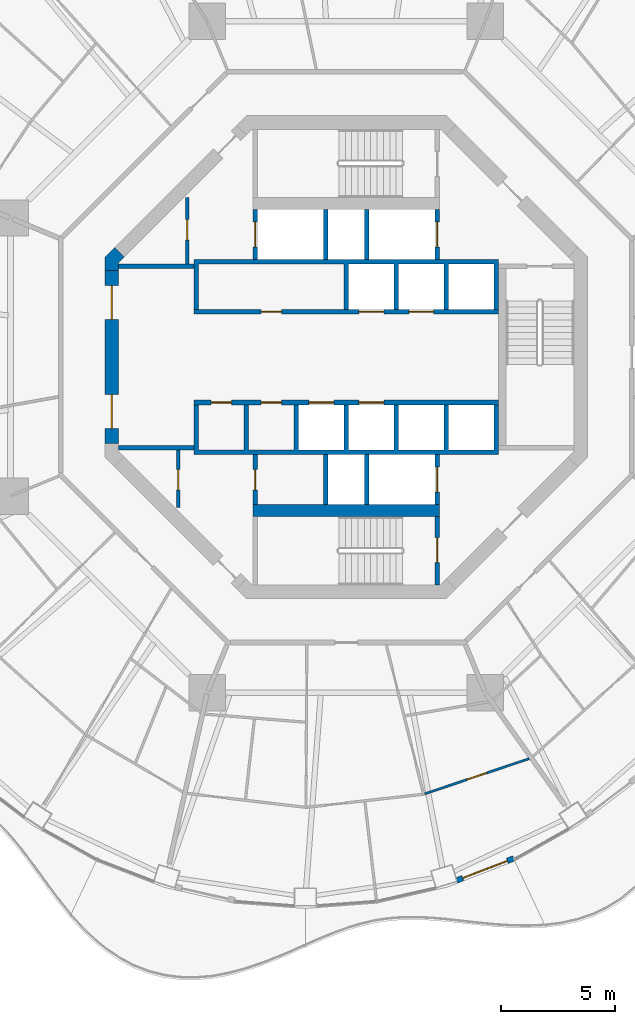
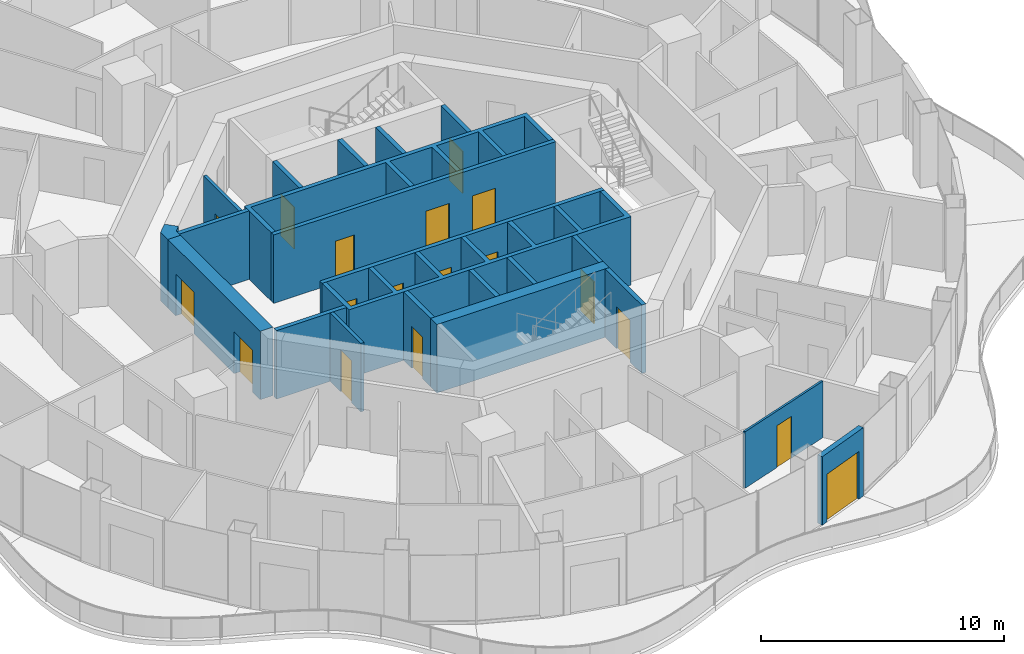
# One storey, part 11 of 18: 22 walls, 18 doors, 18 openings.
"""IFC4 building model written with IfcOpenShell, lengths in metres."""

from ifc_helpers import new_model, si_unit, direction, frame, frame_2d, origin, place, context, subcontext, project, spatial, polyline, rectangle, outline, extrude, material, layer, layer_set, type_object, element, fill, save


model = new_model("IFC4")

# Units and contexts
model_context = context("Model", 3, precision=1e-05, world=origin(), true_north=direction((0.0, 1.0)))
body_context = subcontext(model_context, "Body", "Model", "MODEL_VIEW")
ifc_project = project(units=[si_unit("LENGTHUNIT", "METRE"), si_unit("AREAUNIT", "SQUARE_METRE"), si_unit("VOLUMEUNIT", "CUBIC_METRE"), si_unit("PLANEANGLEUNIT", "RADIAN"), si_unit("MASSUNIT", "GRAM", prefix="KILO")], contexts=[model_context])

# Site, building, storey
site_placement = place(None, origin())
site = spatial("IfcSite", under=ifc_project, at=site_placement, CompositionType="ELEMENT")
building_placement = place(site_placement, origin())
building = spatial("IfcBuilding", under=site, at=building_placement, Name="Nagisa Residences", CompositionType="ELEMENT")
storey_placement = place(building_placement, frame((0.0, 0.0, 230.699951171875)))
storey = spatial("IfcBuildingStorey", under=building, at=storey_placement, Name="L58", CompositionType="ELEMENT", Elevation=230.699951171875)

# Wall, opening, door
ifc_material_1 = material(Name="Gypsum board on steel studs", Category="steel")
ifc_layer_1 = layer(ifc_material_1, 0.10009765625)
ifc_layer_set_1 = layer_set([ifc_layer_1], Name="Apartment partition 100")
wall_type_1 = type_object("IfcWallType", Name="Apartment partition 100", PredefinedType="PARTITIONING", material=ifc_layer_set_1)
wall_1_placement = place(storey_placement, frame((3.453125, -19.228759765625, 0.0), z_axis=(0.0, 0.0, 1.0), x_axis=(0.947565610716, 0.31956128268, 0.0)))
wall_1 = element("IfcWall", 1, at=wall_1_placement, inside=storey, type_object=wall_type_1, Name="wall:L58:u83", PredefinedType="PARTITIONING", context=body_context, shape_type="SweptSolid", body=[
    extrude(rectangle(XDim=4.852783203125, YDim=0.10009765625, at=frame_2d((2.42626953125, 0.0))), origin(), (0.0, 0.0, 1.0), 2.837158203125),
])
opening_1_placement = place(wall_1_placement, frame((1.976318359375, 0.0, 0.0)))
opening_1 = element("IfcOpeningElement", 2, at=opening_1_placement, cuts=wall_1, Name="Opening L58-U20", PredefinedType="OPENING", context=body_context, shape_type="SweptSolid", body=[
    extrude(rectangle(XDim=0.89990234375, YDim=2.10009765625, at=frame_2d((0.449951171875, 1.050048828125))), frame((0.0, 0.06005859375, 0.0), z_axis=(0.0, -1.0, 0.0), x_axis=(1.0, 0.0, 0.0)), (0.0, 0.0, 1.0), 0.1201171875),
])
ifc_material_2 = material(Name="Timber door set", Category="wood")
door_type_1 = type_object("IfcDoorType", Name="Apartment door 900x2100", OperationType="NOTDEFINED", PredefinedType="DOOR", material=ifc_material_2)
door_1_placement = place(opening_1_placement, frame((0.89990234375, 0.0, 0.0), x_axis=(-1.0, 0.0, 0.0)))
door_1 = element("IfcDoor", 3, at=door_1_placement, inside=storey, type_object=door_type_1, Name="Door to dining room, Apartment 58B", OperationType="SINGLE_SWING_LEFT", OverallHeight=2.10009765625, OverallWidth=0.89990234375, PredefinedType="DOOR", context=body_context, shape_type="SweptSolid", body=[
    extrude(rectangle(XDim=0.89990234375, YDim=2.10009765625, at=frame_2d((0.449951171875, 1.050048828125))), frame((0.0, 0.02490234375, 0.0), z_axis=(0.0, -1.0, 0.0), x_axis=(1.0, 0.0, 0.0)), (0.0, 0.0, 1.0), 0.050048828125),
])
fill(opening_1, door_1)

ifc_material_3 = material(Name="Precast concrete C40/50", Category="concrete")
ifc_layer_2 = layer(ifc_material_3, 0.25)
ifc_layer_set_2 = layer_set([ifc_layer_2], Name="BALCONY DOOR WALL 250")
wall_type_2 = type_object("IfcWallType", Name="BALCONY DOOR WALL 250", PredefinedType="SOLIDWALL", material=ifc_layer_set_2)
wall_2_placement = place(storey_placement, frame((7.3662109375, -22.07080078125, 0.0), z_axis=(0.0, 0.0, 1.0), x_axis=(-0.932838255163, -0.360295420044, 0.0)))
wall_2 = element("IfcWall", 4, at=wall_2_placement, inside=storey, type_object=wall_type_2, Name="wall:L58:bay38", PredefinedType="SOLIDWALL", context=body_context, shape_type="SweptSolid", body=[
    extrude(rectangle(XDim=2.6962890625, YDim=0.25, at=frame_2d((1.34814453125, 0.0))), origin(), (0.0, 0.0, 1.0), 3.43994140625),
])
opening_2_placement = place(wall_2_placement, frame((0.298095703125, 0.0, 0.0)))
opening_2 = element("IfcOpeningElement", 5, at=opening_2_placement, cuts=wall_2, Name="Opening BD-L58-13", PredefinedType="OPENING", context=body_context, shape_type="SweptSolid", body=[
    extrude(rectangle(XDim=2.10009765625, YDim=2.39990234375, at=frame_2d((1.050048828125, 1.199951171875))), frame((0.0, 0.135009765625, 0.0), z_axis=(0.0, -1.0, 0.0), x_axis=(1.0, 0.0, 0.0)), (0.0, 0.0, 1.0), 0.27001953125),
])
ifc_material_4 = material(Name="Aluminium and clear glass", Category="aluminium")
door_type_2 = type_object("IfcDoorType", Name="BALCONY SLIDING DOOR 2100x2400", OperationType="SLIDING_TO_LEFT", PredefinedType="DOOR", material=ifc_material_4)
door_2_placement = place(opening_2_placement, origin())
door_2 = element("IfcDoor", 6, at=door_2_placement, inside=storey, type_object=door_type_2, Name="door:L58:bay38", OperationType="SLIDING_TO_LEFT", OverallHeight=2.39990234375, OverallWidth=2.10009765625, PredefinedType="DOOR", context=body_context, shape_type="SweptSolid", body=[
    extrude(rectangle(XDim=2.10009765625, YDim=2.39990234375, at=frame_2d((1.050048828125, 1.199951171875))), frame((0.0, 0.02490234375, 0.0), z_axis=(0.0, -1.0, 0.0), x_axis=(1.0, 0.0, 0.0)), (0.0, 0.0, 1.0), 0.050048828125),
])
fill(opening_2, door_2)

ifc_material_5 = material(Name="Gypsum board on steel studs", Category="steel")
ifc_layer_3 = layer(ifc_material_5, 0.14990234375)
ifc_layer_set_3 = layer_set([ifc_layer_3], Name="Core partition 150")
wall_type_3 = type_object("IfcWallType", Name="Core partition 150", PredefinedType="PARTITIONING", material=ifc_layer_set_3)
wall_3_placement = place(storey_placement, frame((-7.0, 4.10009765625, 0.0), z_axis=(0.0, 0.0, 1.0), x_axis=(0.0, 1.0, 0.0)))
wall_3 = element("IfcWall", 7, at=wall_3_placement, inside=storey, type_object=wall_type_3, Name="wall:L58:NWp", PredefinedType="PARTITIONING", context=body_context, shape_type="SweptSolid", body=[
    extrude(rectangle(XDim=2.9267578125, YDim=0.14990234375, at=frame_2d((1.46337890625, 0.0))), origin(), (0.0, 0.0, 1.0), 3.43994140625),
])
opening_3_placement = place(wall_3_placement, frame((1.051025390625, 0.0, 0.0)))
opening_3 = element("IfcOpeningElement", 8, at=opening_3_placement, cuts=wall_3, Name="Opening L58-C11", PredefinedType="OPENING", context=body_context, shape_type="SweptSolid", body=[
    extrude(rectangle(XDim=0.89990234375, YDim=2.10009765625, at=frame_2d((0.449951171875, 1.050048828125))), frame((0.0, 0.0849609375, 0.0), z_axis=(0.0, -1.0, 0.0), x_axis=(1.0, 0.0, 0.0)), (0.0, 0.0, 1.0), 0.169921875),
])
ifc_material_6 = material(Name="Steel fire door", Category="steel")
door_type_3 = type_object("IfcDoorType", Name="Fire door EI30 900x2100 single swing", OperationType="NOTDEFINED", PredefinedType="DOOR", material=ifc_material_6)
door_3_placement = place(opening_3_placement, origin())
door_3 = element("IfcDoor", 9, at=door_3_placement, inside=storey, type_object=door_type_3, Name="Staff WC door L58", OperationType="SINGLE_SWING_RIGHT", OverallHeight=2.10009765625, OverallWidth=0.89990234375, PredefinedType="DOOR", context=body_context, shape_type="SweptSolid", body=[
    extrude(rectangle(XDim=0.89990234375, YDim=2.10009765625, at=frame_2d((0.449951171875, 1.050048828125))), frame((0.0, 0.02490234375, 0.0), z_axis=(0.0, -1.0, 0.0), x_axis=(1.0, 0.0, 0.0)), (0.0, 0.0, 1.0), 0.050048828125),
])
fill(opening_3, door_3)

wall_4_placement = place(storey_placement, frame((-7.39990234375, -6.626953125, 0.0), z_axis=(0.0, 0.0, 1.0), x_axis=(0.0, 1.0, 0.0)))
wall_4 = element("IfcWall", 10, at=wall_4_placement, inside=storey, type_object=wall_type_3, Name="wall:L58:SWp", PredefinedType="PARTITIONING", context=body_context, shape_type="SweptSolid", body=[
    extrude(rectangle(XDim=2.52685546875, YDim=0.14990234375, at=frame_2d((1.263427734375, 0.0))), origin(), (0.0, 0.0, 1.0), 3.43994140625),
])
opening_4_placement = place(wall_4_placement, frame((0.77587890625, 0.0, 0.0)))
opening_4 = element("IfcOpeningElement", 11, at=opening_4_placement, cuts=wall_4, Name="Opening L58-C12", PredefinedType="OPENING", context=body_context, shape_type="SweptSolid", body=[
    extrude(rectangle(XDim=0.89990234375, YDim=2.10009765625, at=frame_2d((0.449951171875, 1.050048828125))), frame((0.0, 0.0849609375, 0.0), z_axis=(0.0, -1.0, 0.0), x_axis=(1.0, 0.0, 0.0)), (0.0, 0.0, 1.0), 0.169921875),
])
door_4_placement = place(opening_4_placement, origin())
door_4 = element("IfcDoor", 12, at=door_4_placement, inside=storey, type_object=door_type_3, Name="Telecom room door L58", OperationType="SINGLE_SWING_RIGHT", OverallHeight=2.10009765625, OverallWidth=0.89990234375, PredefinedType="DOOR", context=body_context, shape_type="SweptSolid", body=[
    extrude(rectangle(XDim=0.89990234375, YDim=2.10009765625, at=frame_2d((0.449951171875, 1.050048828125))), frame((0.0, 0.02490234375, 0.0), z_axis=(0.0, -1.0, 0.0), x_axis=(1.0, 0.0, 0.0)), (0.0, 0.0, 1.0), 0.050048828125),
])
fill(opening_4, door_4)

# Walls
ifc_material_7 = material(Name="Gypsum board on steel studs", Category="steel")
ifc_layer_4 = layer(ifc_material_7, 0.199951171875)
ifc_layer_set_4 = layer_set([ifc_layer_4], Name="Core partition 200")
wall_type_4 = type_object("IfcWallType", Name="Core partition 200", PredefinedType="PARTITIONING", material=ifc_layer_set_4)
for number, where, z_axis, x_axis, name in (
    (13, (-10.024658203125, -4.0, 0.0), (0.0, 0.0, 1.0), (1.0, 0.0, 0.0), "wall:L58:PSW"),
    (14, (-10.024658203125, 4.0, 0.0), (0.0, 0.0, 1.0), (1.0, 0.0, 0.0), "wall:L58:PNW"),
):
    element("IfcWall", number, at=place(storey_placement, frame(where, z_axis=z_axis, x_axis=x_axis)), inside=storey, type_object=wall_type_4, Name=name, PredefinedType="PARTITIONING", context=body_context, shape_type="SweptSolid", body=[
        extrude(rectangle(XDim=3.32470703125, YDim=0.199951171875, at=frame_2d((1.662353515625, 0.0))), origin(), (0.0, 0.0, 1.0), 3.43994140625),
    ])

# Wall, openings, doors
ifc_material_8 = material(Name="Concrete C60", Category="concrete")
ifc_layer_5 = layer(ifc_material_8, 0.60009765625)
ifc_layer_set_5 = layer_set([ifc_layer_5], Name="Core shear wall 600")
wall_type_5 = type_object("IfcWallType", Name="Core shear wall 600", PredefinedType="SHEAR", material=ifc_layer_set_5)
wall_5_placement = place(storey_placement, frame((-10.32470703125, 3.80078125, 0.0), z_axis=(0.0, 0.0, 1.0), x_axis=(0.0, -1.0, 0.0)))
wall_5 = element("IfcWall", 15, at=wall_5_placement, inside=storey, type_object=wall_type_5, Name="wall:L58:core:flat4", PredefinedType="SHEAR", context=body_context, shape_type="SweptSolid", body=[
    extrude(rectangle(XDim=7.6015625, YDim=0.60009765625, at=frame_2d((3.80078125, 0.0))), origin(), (0.0, 0.0, 1.0), 3.43994140625),
])
opening_5_placement = place(wall_5_placement, frame((0.65087890625, 0.0, 0.0)))
opening_5 = element("IfcOpeningElement", 16, at=opening_5_placement, cuts=wall_5, Name="Opening L58-C19", PredefinedType="OPENING", context=body_context, shape_type="SweptSolid", body=[
    extrude(rectangle(XDim=1.5, YDim=2.10009765625, at=frame_2d((0.75, 1.050048828125))), frame((0.0, 0.31005859375, 0.0), z_axis=(0.0, -1.0, 0.0), x_axis=(1.0, 0.0, 0.0)), (0.0, 0.0, 1.0), 0.6201171875),
])
opening_6_placement = place(wall_5_placement, frame((5.450927734375, 0.0, 0.0)))
opening_6 = element("IfcOpeningElement", 17, at=opening_6_placement, cuts=wall_5, Name="Opening L58-C20", PredefinedType="OPENING", context=body_context, shape_type="SweptSolid", body=[
    extrude(rectangle(XDim=1.5, YDim=2.10009765625, at=frame_2d((0.75, 1.050048828125))), frame((0.0, 0.31005859375, 0.0), z_axis=(0.0, -1.0, 0.0), x_axis=(1.0, 0.0, 0.0)), (0.0, 0.0, 1.0), 0.6201171875),
])
ifc_material_9 = material(Name="Steel fire door", Category="steel")
door_type_4 = type_object("IfcDoorType", Name="Fire door EI60 1500x2100 double door single swing", OperationType="DOUBLE_DOOR_SINGLE_SWING", PredefinedType="DOOR", material=ifc_material_9)
door_5_placement = place(opening_5_placement, origin())
door_5 = element("IfcDoor", 18, at=door_5_placement, inside=storey, type_object=door_type_4, Name="Lift lobby door L58 1", OperationType="DOUBLE_DOOR_SINGLE_SWING", OverallHeight=2.10009765625, OverallWidth=1.5, PredefinedType="DOOR", context=body_context, shape_type="SweptSolid", body=[
    extrude(rectangle(XDim=1.5, YDim=2.10009765625, at=frame_2d((0.75, 1.050048828125))), frame((0.0, 0.02490234375, 0.0), z_axis=(0.0, -1.0, 0.0), x_axis=(1.0, 0.0, 0.0)), (0.0, 0.0, 1.0), 0.050048828125),
])
fill(opening_5, door_5)
door_6_placement = place(opening_6_placement, origin())
door_6 = element("IfcDoor", 19, at=door_6_placement, inside=storey, type_object=door_type_4, Name="Lift lobby door L58 2", OperationType="DOUBLE_DOOR_SINGLE_SWING", OverallHeight=2.10009765625, OverallWidth=1.5, PredefinedType="DOOR", context=body_context, shape_type="SweptSolid", body=[
    extrude(rectangle(XDim=1.5, YDim=2.10009765625, at=frame_2d((0.75, 1.050048828125))), frame((0.0, 0.02490234375, 0.0), z_axis=(0.0, -1.0, 0.0), x_axis=(1.0, 0.0, 0.0)), (0.0, 0.0, 1.0), 0.050048828125),
])
fill(opening_6, door_6)

# Wall
wall_6_placement = place(storey_placement, origin())
element("IfcWall", 20, at=wall_6_placement, inside=storey, type_object=wall_type_5, Name="wall:L58:core:pier3", PredefinedType="SHEAR", context=body_context, shape_type="SweptSolid", body=[
    extrude(outline(polyline([(-10.200439453125, 4.8251953125), (-9.776123046875, 4.40087890625), (-10.024658203125, 4.15234375), (-10.024658203125, 3.80078125), (-10.62451171875, 3.80078125), (-10.62451171875, 4.40087890625), (-10.200439453125, 4.8251953125)])), origin(), (0.0, 0.0, 1.0), 3.43994140625),
])

# Wall, opening, door
ifc_material_10 = material(Name="Concrete C60", Category="concrete")
ifc_layer_6 = layer(ifc_material_10, 0.199951171875)
ifc_layer_set_6 = layer_set([ifc_layer_6], Name="Lift shaft wall 200")
wall_type_6 = type_object("IfcWallType", Name="Lift shaft wall 200", PredefinedType="SOLIDWALL", material=ifc_layer_set_6)
wall_7_placement = place(storey_placement, frame((4.0, 4.300048828125, 0.0), z_axis=(0.0, 0.0, 1.0), x_axis=(0.0, 1.0, 0.0)))
wall_7 = element("IfcWall", 21, at=wall_7_placement, inside=storey, type_object=wall_type_6, Name="wall:L58:Nb3", PredefinedType="SOLIDWALL", context=body_context, shape_type="SweptSolid", body=[
    extrude(rectangle(XDim=2.199951171875, YDim=0.199951171875, at=frame_2d((1.10009765625, 0.0))), origin(), (0.0, 0.0, 1.0), 3.43994140625),
])
opening_7_placement = place(wall_7_placement, frame((0.550048828125, 0.0, 0.0)))
opening_7 = element("IfcOpeningElement", 22, at=opening_7_placement, cuts=wall_7, Name="Opening L58-C05", PredefinedType="OPENING", context=body_context, shape_type="SweptSolid", body=[
    extrude(rectangle(XDim=1.10009765625, YDim=2.10009765625, at=frame_2d((0.550048828125, 1.050048828125))), frame((0.0, 0.10986328125, 0.0), z_axis=(0.0, -1.0, 0.0), x_axis=(1.0, 0.0, 0.0)), (0.0, 0.0, 1.0), 0.219970703125),
])
ifc_material_11 = material(Name="Stainless steel", Category="steel")
door_type_5 = type_object("IfcDoorType", Name="Lift landing door 1100x2100", OperationType="DOUBLE_DOOR_SLIDING", PredefinedType="DOOR", material=ifc_material_11)
door_7_placement = place(opening_7_placement, origin())
door_7 = element("IfcDoor", 23, at=door_7_placement, inside=storey, type_object=door_type_5, Name="Landing door FL1 L58", OperationType="DOUBLE_DOOR_SLIDING", OverallHeight=2.10009765625, OverallWidth=1.10009765625, PredefinedType="DOOR", context=body_context, shape_type="SweptSolid", body=[
    extrude(rectangle(XDim=1.10009765625, YDim=2.10009765625, at=frame_2d((0.550048828125, 1.050048828125))), frame((0.0, 0.02490234375, 0.0), z_axis=(0.0, -1.0, 0.0), x_axis=(1.0, 0.0, 0.0)), (0.0, 0.0, 1.0), 0.050048828125),
])
fill(opening_7, door_7)

wall_8_placement = place(storey_placement, frame((-4.0, 4.300048828125, 0.0), z_axis=(0.0, 0.0, 1.0), x_axis=(0.0, 1.0, 0.0)))
wall_8 = element("IfcWall", 24, at=wall_8_placement, inside=storey, type_object=wall_type_6, Name="wall:L58:Nb4", PredefinedType="SOLIDWALL", context=body_context, shape_type="SweptSolid", body=[
    extrude(rectangle(XDim=2.199951171875, YDim=0.199951171875, at=frame_2d((1.10009765625, 0.0))), origin(), (0.0, 0.0, 1.0), 3.43994140625),
])
opening_8_placement = place(wall_8_placement, frame((0.550048828125, 0.0, 0.0)))
opening_8 = element("IfcOpeningElement", 25, at=opening_8_placement, cuts=wall_8, Name="Opening L58-C07", PredefinedType="OPENING", context=body_context, shape_type="SweptSolid", body=[
    extrude(rectangle(XDim=1.10009765625, YDim=2.10009765625, at=frame_2d((0.550048828125, 1.050048828125))), frame((0.0, 0.10986328125, 0.0), z_axis=(0.0, -1.0, 0.0), x_axis=(1.0, 0.0, 0.0)), (0.0, 0.0, 1.0), 0.219970703125),
])
door_8_placement = place(opening_8_placement, origin())
door_8 = element("IfcDoor", 26, at=door_8_placement, inside=storey, type_object=door_type_5, Name="Landing door SV L58", OperationType="DOUBLE_DOOR_SLIDING", OverallHeight=2.10009765625, OverallWidth=1.10009765625, PredefinedType="DOOR", context=body_context, shape_type="SweptSolid", body=[
    extrude(rectangle(XDim=1.10009765625, YDim=2.10009765625, at=frame_2d((0.550048828125, 1.050048828125))), frame((0.0, 0.02490234375, 0.0), z_axis=(0.0, -1.0, 0.0), x_axis=(1.0, 0.0, 0.0)), (0.0, 0.0, 1.0), 0.050048828125),
])
fill(opening_8, door_8)

# Wall, openings, doors
wall_9_placement = place(storey_placement, frame((-6.699951171875, 2.0, 0.0), z_axis=(0.0, 0.0, 1.0), x_axis=(1.0, 0.0, 0.0)))
wall_9 = element("IfcWall", 27, at=wall_9_placement, inside=storey, type_object=wall_type_6, Name="wall:L58:Nfront", PredefinedType="SOLIDWALL", context=body_context, shape_type="SweptSolid", body=[
    extrude(rectangle(XDim=13.39990234375, YDim=0.199951171875, at=frame_2d((6.699951171875, 0.0))), origin(), (0.0, 0.0, 1.0), 3.43994140625),
])
opening_9_placement = place(wall_9_placement, frame((7.25, 0.0, 0.0)))
opening_9 = element("IfcOpeningElement", 28, at=opening_9_placement, cuts=wall_9, Name="Opening L58-C01", PredefinedType="OPENING", context=body_context, shape_type="SweptSolid", body=[
    extrude(rectangle(XDim=1.10009765625, YDim=2.10009765625, at=frame_2d((0.550048828125, 1.050048828125))), frame((0.0, 0.10986328125, 0.0), z_axis=(0.0, -1.0, 0.0), x_axis=(1.0, 0.0, 0.0)), (0.0, 0.0, 1.0), 0.219970703125),
])
opening_10_placement = place(wall_9_placement, frame((9.449951171875, 0.0, 0.0)))
opening_10 = element("IfcOpeningElement", 29, at=opening_10_placement, cuts=wall_9, Name="Opening L58-C02", PredefinedType="OPENING", context=body_context, shape_type="SweptSolid", body=[
    extrude(rectangle(XDim=1.10009765625, YDim=2.10009765625, at=frame_2d((0.550048828125, 1.050048828125))), frame((0.0, 0.10986328125, 0.0), z_axis=(0.0, -1.0, 0.0), x_axis=(1.0, 0.0, 0.0)), (0.0, 0.0, 1.0), 0.219970703125),
])
opening_11_placement = place(wall_9_placement, frame((2.949951171875, 0.0, 0.0)))
opening_11 = element("IfcOpeningElement", 30, at=opening_11_placement, cuts=wall_9, Name="Opening L58-C14", PredefinedType="OPENING", context=body_context, shape_type="SweptSolid", body=[
    extrude(rectangle(XDim=0.89990234375, YDim=2.10009765625, at=frame_2d((0.449951171875, 1.050048828125))), frame((0.0, 0.10986328125, 0.0), z_axis=(0.0, -1.0, 0.0), x_axis=(1.0, 0.0, 0.0)), (0.0, 0.0, 1.0), 0.219970703125),
])
door_9_placement = place(opening_11_placement, origin())
door_9 = element("IfcDoor", 31, at=door_9_placement, inside=storey, type_object=door_type_3, Name="Recycling room door L58", OperationType="SINGLE_SWING_LEFT", OverallHeight=2.10009765625, OverallWidth=0.89990234375, PredefinedType="DOOR", context=body_context, shape_type="SweptSolid", body=[
    extrude(rectangle(XDim=0.89990234375, YDim=2.10009765625, at=frame_2d((0.449951171875, 1.050048828125))), frame((0.0, 0.02490234375, 0.0), z_axis=(0.0, -1.0, 0.0), x_axis=(1.0, 0.0, 0.0)), (0.0, 0.0, 1.0), 0.050048828125),
])
fill(opening_11, door_9)
door_10_placement = place(opening_9_placement, origin())
door_10 = element("IfcDoor", 32, at=door_10_placement, inside=storey, type_object=door_type_5, Name="Landing door B1 L58", OperationType="DOUBLE_DOOR_SLIDING", OverallHeight=2.10009765625, OverallWidth=1.10009765625, PredefinedType="DOOR", context=body_context, shape_type="SweptSolid", body=[
    extrude(rectangle(XDim=1.10009765625, YDim=2.10009765625, at=frame_2d((0.550048828125, 1.050048828125))), frame((0.0, 0.02490234375, 0.0), z_axis=(0.0, -1.0, 0.0), x_axis=(1.0, 0.0, 0.0)), (0.0, 0.0, 1.0), 0.050048828125),
])
fill(opening_9, door_10)
door_11_placement = place(opening_10_placement, origin())
door_11 = element("IfcDoor", 33, at=door_11_placement, inside=storey, type_object=door_type_5, Name="Landing door B2 L58", OperationType="DOUBLE_DOOR_SLIDING", OverallHeight=2.10009765625, OverallWidth=1.10009765625, PredefinedType="DOOR", context=body_context, shape_type="SweptSolid", body=[
    extrude(rectangle(XDim=1.10009765625, YDim=2.10009765625, at=frame_2d((0.550048828125, 1.050048828125))), frame((0.0, 0.02490234375, 0.0), z_axis=(0.0, -1.0, 0.0), x_axis=(1.0, 0.0, 0.0)), (0.0, 0.0, 1.0), 0.050048828125),
])
fill(opening_10, door_11)

# Wall, opening, door
wall_10_placement = place(storey_placement, frame((4.0, -6.5, 0.0), z_axis=(0.0, 0.0, 1.0), x_axis=(0.0, 1.0, 0.0)))
wall_10 = element("IfcWall", 34, at=wall_10_placement, inside=storey, type_object=wall_type_6, Name="wall:L58:Sb3", PredefinedType="SOLIDWALL", context=body_context, shape_type="SweptSolid", body=[
    extrude(rectangle(XDim=2.199951171875, YDim=0.199951171875, at=frame_2d((1.10009765625, 0.0))), origin(), (0.0, 0.0, 1.0), 3.43994140625),
])
opening_12_placement = place(wall_10_placement, frame((0.550048828125, 0.0, 0.0)))
opening_12 = element("IfcOpeningElement", 35, at=opening_12_placement, cuts=wall_10, Name="Opening L58-C06", PredefinedType="OPENING", context=body_context, shape_type="SweptSolid", body=[
    extrude(rectangle(XDim=1.10009765625, YDim=2.10009765625, at=frame_2d((0.550048828125, 1.050048828125))), frame((0.0, 0.10986328125, 0.0), z_axis=(0.0, -1.0, 0.0), x_axis=(1.0, 0.0, 0.0)), (0.0, 0.0, 1.0), 0.219970703125),
])
door_12_placement = place(opening_12_placement, origin())
door_12 = element("IfcDoor", 36, at=door_12_placement, inside=storey, type_object=door_type_5, Name="Landing door FL2 L58", OperationType="DOUBLE_DOOR_SLIDING", OverallHeight=2.10009765625, OverallWidth=1.10009765625, PredefinedType="DOOR", context=body_context, shape_type="SweptSolid", body=[
    extrude(rectangle(XDim=1.10009765625, YDim=2.10009765625, at=frame_2d((0.550048828125, 1.050048828125))), frame((0.0, 0.02490234375, 0.0), z_axis=(0.0, -1.0, 0.0), x_axis=(1.0, 0.0, 0.0)), (0.0, 0.0, 1.0), 0.050048828125),
])
fill(opening_12, door_12)

wall_11_placement = place(storey_placement, frame((-4.0, -6.5, 0.0), z_axis=(0.0, 0.0, 1.0), x_axis=(0.0, 1.0, 0.0)))
wall_11 = element("IfcWall", 37, at=wall_11_placement, inside=storey, type_object=wall_type_6, Name="wall:L58:Sb4", PredefinedType="SOLIDWALL", context=body_context, shape_type="SweptSolid", body=[
    extrude(rectangle(XDim=2.199951171875, YDim=0.199951171875, at=frame_2d((1.10009765625, 0.0))), origin(), (0.0, 0.0, 1.0), 3.43994140625),
])
opening_13_placement = place(wall_11_placement, frame((0.64990234375, 0.0, 0.0)))
opening_13 = element("IfcOpeningElement", 38, at=opening_13_placement, cuts=wall_11, Name="Opening L58-C13", PredefinedType="OPENING", context=body_context, shape_type="SweptSolid", body=[
    extrude(rectangle(XDim=0.89990234375, YDim=2.10009765625, at=frame_2d((0.449951171875, 1.050048828125))), frame((0.0, 0.10986328125, 0.0), z_axis=(0.0, -1.0, 0.0), x_axis=(1.0, 0.0, 0.0)), (0.0, 0.0, 1.0), 0.219970703125),
])
door_13_placement = place(opening_13_placement, frame((0.89990234375, 0.0, 0.0), x_axis=(-1.0, 0.0, 0.0)))
door_13 = element("IfcDoor", 39, at=door_13_placement, inside=storey, type_object=door_type_3, Name="Refuse room door L58", OperationType="SINGLE_SWING_LEFT", OverallHeight=2.10009765625, OverallWidth=0.89990234375, PredefinedType="DOOR", context=body_context, shape_type="SweptSolid", body=[
    extrude(rectangle(XDim=0.89990234375, YDim=2.10009765625, at=frame_2d((0.449951171875, 1.050048828125))), frame((0.0, 0.02490234375, 0.0), z_axis=(0.0, -1.0, 0.0), x_axis=(1.0, 0.0, 0.0)), (0.0, 0.0, 1.0), 0.050048828125),
])
fill(opening_13, door_13)

# Wall, openings, doors
wall_12_placement = place(storey_placement, frame((-6.699951171875, -2.0, 0.0), z_axis=(0.0, 0.0, 1.0), x_axis=(1.0, 0.0, 0.0)))
wall_12 = element("IfcWall", 40, at=wall_12_placement, inside=storey, type_object=wall_type_6, Name="wall:L58:Sfront", PredefinedType="SOLIDWALL", context=body_context, shape_type="SweptSolid", body=[
    extrude(rectangle(XDim=13.39990234375, YDim=0.199951171875, at=frame_2d((6.699951171875, 0.0))), origin(), (0.0, 0.0, 1.0), 3.43994140625),
])
opening_14_placement = place(wall_12_placement, frame((5.050048828125, 0.0, 0.0)))
opening_14 = element("IfcOpeningElement", 41, at=opening_14_placement, cuts=wall_12, Name="Opening L58-C03", PredefinedType="OPENING", context=body_context, shape_type="SweptSolid", body=[
    extrude(rectangle(XDim=1.10009765625, YDim=2.10009765625, at=frame_2d((0.550048828125, 1.050048828125))), frame((0.0, 0.10986328125, 0.0), z_axis=(0.0, -1.0, 0.0), x_axis=(1.0, 0.0, 0.0)), (0.0, 0.0, 1.0), 0.219970703125),
])
opening_15_placement = place(wall_12_placement, frame((7.25, 0.0, 0.0)))
opening_15 = element("IfcOpeningElement", 42, at=opening_15_placement, cuts=wall_12, Name="Opening L58-C04", PredefinedType="OPENING", context=body_context, shape_type="SweptSolid", body=[
    extrude(rectangle(XDim=1.10009765625, YDim=2.10009765625, at=frame_2d((0.550048828125, 1.050048828125))), frame((0.0, 0.10986328125, 0.0), z_axis=(0.0, -1.0, 0.0), x_axis=(1.0, 0.0, 0.0)), (0.0, 0.0, 1.0), 0.219970703125),
])
opening_16_placement = place(wall_12_placement, frame((0.75, 0.0, 0.0)))
opening_16 = element("IfcOpeningElement", 43, at=opening_16_placement, cuts=wall_12, Name="Opening L58-C15", PredefinedType="OPENING", context=body_context, shape_type="SweptSolid", body=[
    extrude(rectangle(XDim=0.89990234375, YDim=2.10009765625, at=frame_2d((0.449951171875, 1.050048828125))), frame((0.0, 0.10986328125, 0.0), z_axis=(0.0, -1.0, 0.0), x_axis=(1.0, 0.0, 0.0)), (0.0, 0.0, 1.0), 0.219970703125),
])
opening_17_placement = place(wall_12_placement, frame((2.949951171875, 0.0, 0.0)))
opening_17 = element("IfcOpeningElement", 44, at=opening_17_placement, cuts=wall_12, Name="Opening L58-C16", PredefinedType="OPENING", context=body_context, shape_type="SweptSolid", body=[
    extrude(rectangle(XDim=0.89990234375, YDim=2.10009765625, at=frame_2d((0.449951171875, 1.050048828125))), frame((0.0, 0.10986328125, 0.0), z_axis=(0.0, -1.0, 0.0), x_axis=(1.0, 0.0, 0.0)), (0.0, 0.0, 1.0), 0.219970703125),
])
door_14_placement = place(opening_16_placement, frame((0.89990234375, 0.0, 0.0), x_axis=(-1.0, 0.0, 0.0)))
door_14 = element("IfcDoor", 45, at=door_14_placement, inside=storey, type_object=door_type_3, Name="Stationery store door L58", OperationType="SINGLE_SWING_RIGHT", OverallHeight=2.10009765625, OverallWidth=0.89990234375, PredefinedType="DOOR", context=body_context, shape_type="SweptSolid", body=[
    extrude(rectangle(XDim=0.89990234375, YDim=2.10009765625, at=frame_2d((0.449951171875, 1.050048828125))), frame((0.0, 0.02490234375, 0.0), z_axis=(0.0, -1.0, 0.0), x_axis=(1.0, 0.0, 0.0)), (0.0, 0.0, 1.0), 0.050048828125),
])
fill(opening_16, door_14)
door_15_placement = place(opening_17_placement, frame((0.89990234375, 0.0, 0.0), x_axis=(-1.0, 0.0, 0.0)))
door_15 = element("IfcDoor", 46, at=door_15_placement, inside=storey, type_object=door_type_3, Name="Wine store door L58", OperationType="SINGLE_SWING_RIGHT", OverallHeight=2.10009765625, OverallWidth=0.89990234375, PredefinedType="DOOR", context=body_context, shape_type="SweptSolid", body=[
    extrude(rectangle(XDim=0.89990234375, YDim=2.10009765625, at=frame_2d((0.449951171875, 1.050048828125))), frame((0.0, 0.02490234375, 0.0), z_axis=(0.0, -1.0, 0.0), x_axis=(1.0, 0.0, 0.0)), (0.0, 0.0, 1.0), 0.050048828125),
])
fill(opening_17, door_15)
door_16_placement = place(opening_14_placement, origin())
door_16 = element("IfcDoor", 47, at=door_16_placement, inside=storey, type_object=door_type_5, Name="Landing door B3 L58", OperationType="DOUBLE_DOOR_SLIDING", OverallHeight=2.10009765625, OverallWidth=1.10009765625, PredefinedType="DOOR", context=body_context, shape_type="SweptSolid", body=[
    extrude(rectangle(XDim=1.10009765625, YDim=2.10009765625, at=frame_2d((0.550048828125, 1.050048828125))), frame((0.0, 0.02490234375, 0.0), z_axis=(0.0, -1.0, 0.0), x_axis=(1.0, 0.0, 0.0)), (0.0, 0.0, 1.0), 0.050048828125),
])
fill(opening_14, door_16)
door_17_placement = place(opening_15_placement, origin())
door_17 = element("IfcDoor", 48, at=door_17_placement, inside=storey, type_object=door_type_5, Name="Landing door B4 L58", OperationType="DOUBLE_DOOR_SLIDING", OverallHeight=2.10009765625, OverallWidth=1.10009765625, PredefinedType="DOOR", context=body_context, shape_type="SweptSolid", body=[
    extrude(rectangle(XDim=1.10009765625, YDim=2.10009765625, at=frame_2d((0.550048828125, 1.050048828125))), frame((0.0, 0.02490234375, 0.0), z_axis=(0.0, -1.0, 0.0), x_axis=(1.0, 0.0, 0.0)), (0.0, 0.0, 1.0), 0.050048828125),
])
fill(opening_15, door_17)

# Walls
for number, where, z_axis, x_axis, name in (
    (49, (-0.89990234375, -6.5, 0.0), (0.0, 0.0, 1.0), (0.0, 1.0, 0.0), "wall:L58:Sb1"),
    (50, (0.89990234375, -6.5, 0.0), (0.0, 0.0, 1.0), (0.0, 1.0, 0.0), "wall:L58:Sb2"),
):
    element("IfcWall", number, at=place(storey_placement, frame(where, z_axis=z_axis, x_axis=x_axis)), inside=storey, type_object=wall_type_6, Name=name, PredefinedType="SOLIDWALL", context=body_context, shape_type="SweptSolid", body=[
        extrude(rectangle(XDim=2.199951171875, YDim=0.199951171875, at=frame_2d((1.10009765625, 0.0))), origin(), (0.0, 0.0, 1.0), 3.43994140625),
    ])
wall_13_placement = place(storey_placement, origin())
element("IfcWall", 51, at=wall_13_placement, inside=storey, type_object=wall_type_6, Name="wall:L58:Sback", PredefinedType="SOLIDWALL", context=body_context, shape_type="SweptSolid", body=[
    extrude(outline(polyline([(-6.699951171875, -2.10009765625), (-6.5, -2.10009765625), (-6.5, -4.10009765625), (-4.5, -4.10009765625), (-4.5, -2.10009765625), (-4.300048828125, -2.10009765625), (-4.300048828125, -4.10009765625), (-2.300048828125, -4.10009765625), (-2.300048828125, -2.10009765625), (-2.10009765625, -2.10009765625), (-2.10009765625, -4.10009765625), (-0.10009765625, -4.10009765625), (-0.10009765625, -2.10009765625), (0.10009765625, -2.10009765625), (0.10009765625, -4.10009765625), (2.10009765625, -4.10009765625), (2.10009765625, -2.10009765625), (2.300048828125, -2.10009765625), (2.300048828125, -4.10009765625), (4.300048828125, -4.10009765625), (4.300048828125, -2.10009765625), (4.5, -2.10009765625), (4.5, -4.10009765625), (6.5, -4.10009765625), (6.5, -2.10009765625), (6.699951171875, -2.10009765625), (6.699951171875, -4.300048828125), (-6.699951171875, -4.300048828125), (-6.699951171875, -2.10009765625)])), origin(), (0.0, 0.0, 1.0), 3.43994140625),
])
for number, where, z_axis, x_axis, name in (
    (52, (-0.89990234375, 4.300048828125, 0.0), (0.0, 0.0, 1.0), (0.0, 1.0, 0.0), "wall:L58:Nb1"),
    (53, (0.89990234375, 4.300048828125, 0.0), (0.0, 0.0, 1.0), (0.0, 1.0, 0.0), "wall:L58:Nb2"),
):
    element("IfcWall", number, at=place(storey_placement, frame(where, z_axis=z_axis, x_axis=x_axis)), inside=storey, type_object=wall_type_6, Name=name, PredefinedType="SOLIDWALL", context=body_context, shape_type="SweptSolid", body=[
        extrude(rectangle(XDim=2.199951171875, YDim=0.199951171875, at=frame_2d((1.10009765625, 0.0))), origin(), (0.0, 0.0, 1.0), 3.43994140625),
    ])
wall_14_placement = place(storey_placement, origin())
element("IfcWall", 54, at=wall_14_placement, inside=storey, type_object=wall_type_6, Name="wall:L58:Nback", PredefinedType="SOLIDWALL", context=body_context, shape_type="SweptSolid", body=[
    extrude(outline(polyline([(-6.699951171875, 4.300048828125), (6.699951171875, 4.300048828125), (6.699951171875, 2.10009765625), (6.5, 2.10009765625), (6.5, 4.10009765625), (4.5, 4.10009765625), (4.5, 2.10009765625), (4.300048828125, 2.10009765625), (4.300048828125, 4.10009765625), (2.300048828125, 4.10009765625), (2.300048828125, 2.10009765625), (2.10009765625, 2.10009765625), (2.10009765625, 4.10009765625), (0.10009765625, 4.10009765625), (0.10009765625, 2.10009765625), (-0.10009765625, 2.10009765625), (-0.10009765625, 4.10009765625), (-6.5, 4.10009765625), (-6.5, 2.10009765625), (-6.699951171875, 2.10009765625), (-6.699951171875, 4.300048828125)])), origin(), (0.0, 0.0, 1.0), 3.43994140625),
])

# Wall, opening, door
ifc_material_12 = material(Name="Concrete C60", Category="concrete")
ifc_layer_7 = layer(ifc_material_12, 0.199951171875)
ifc_layer_set_7 = layer_set([ifc_layer_7], Name="Stair enclosure wall 200")
wall_type_7 = type_object("IfcWallType", Name="Stair enclosure wall 200", PredefinedType="SOLIDWALL", material=ifc_layer_set_7)
wall_15_placement = place(storey_placement, frame((4.0, -10.024658203125, 0.0), z_axis=(0.0, 0.0, 1.0), x_axis=(0.0, 1.0, 0.0)))
wall_15 = element("IfcWall", 55, at=wall_15_placement, inside=storey, type_object=wall_type_7, Name="wall:L58:SS_e", PredefinedType="SOLIDWALL", context=body_context, shape_type="SweptSolid", body=[
    extrude(rectangle(XDim=3.0, YDim=0.199951171875, at=frame_2d((1.5, 0.0))), origin(), (0.0, 0.0, 1.0), 3.43994140625),
])
opening_18_placement = place(wall_15_placement, frame((0.974609375, 0.0, 0.0)))
opening_18 = element("IfcOpeningElement", 56, at=opening_18_placement, cuts=wall_15, Name="Opening L58-C10", PredefinedType="OPENING", context=body_context, shape_type="SweptSolid", body=[
    extrude(rectangle(XDim=1.10009765625, YDim=2.10009765625, at=frame_2d((0.550048828125, 1.050048828125))), frame((0.0, 0.10986328125, 0.0), z_axis=(0.0, -1.0, 0.0), x_axis=(1.0, 0.0, 0.0)), (0.0, 0.0, 1.0), 0.219970703125),
])
ifc_material_13 = material(Name="Steel fire door", Category="steel")
door_type_6 = type_object("IfcDoorType", Name="Fire door EI90 1100x2100 single swing", OperationType="NOTDEFINED", PredefinedType="DOOR", material=ifc_material_13)
door_18_placement = place(opening_18_placement, origin())
door_18 = element("IfcDoor", 57, at=door_18_placement, inside=storey, type_object=door_type_6, Name="Stair door ST-S L58", OperationType="SINGLE_SWING_RIGHT", OverallHeight=2.10009765625, OverallWidth=1.10009765625, PredefinedType="DOOR", context=body_context, shape_type="SweptSolid", body=[
    extrude(rectangle(XDim=1.10009765625, YDim=2.10009765625, at=frame_2d((0.550048828125, 1.050048828125))), frame((0.0, 0.02490234375, 0.0), z_axis=(0.0, -1.0, 0.0), x_axis=(1.0, 0.0, 0.0)), (0.0, 0.0, 1.0), 0.050048828125),
])
fill(opening_18, door_18)

# Wall
wall_16_placement = place(storey_placement, origin())
element("IfcWall", 58, at=wall_16_placement, inside=storey, type_object=wall_type_7, Name="wall:L58:SS_n", PredefinedType="SOLIDWALL", context=body_context, shape_type="SweptSolid", body=[
    extrude(outline(polyline([(4.10009765625, -7.024658203125), (-4.10009765625, -7.024658203125), (-4.10009765625, -6.5), (4.10009765625, -6.5), (4.10009765625, -7.024658203125)])), origin(), (0.0, 0.0, 1.0), 3.43994140625),
])

save(model, "model.ifc")
